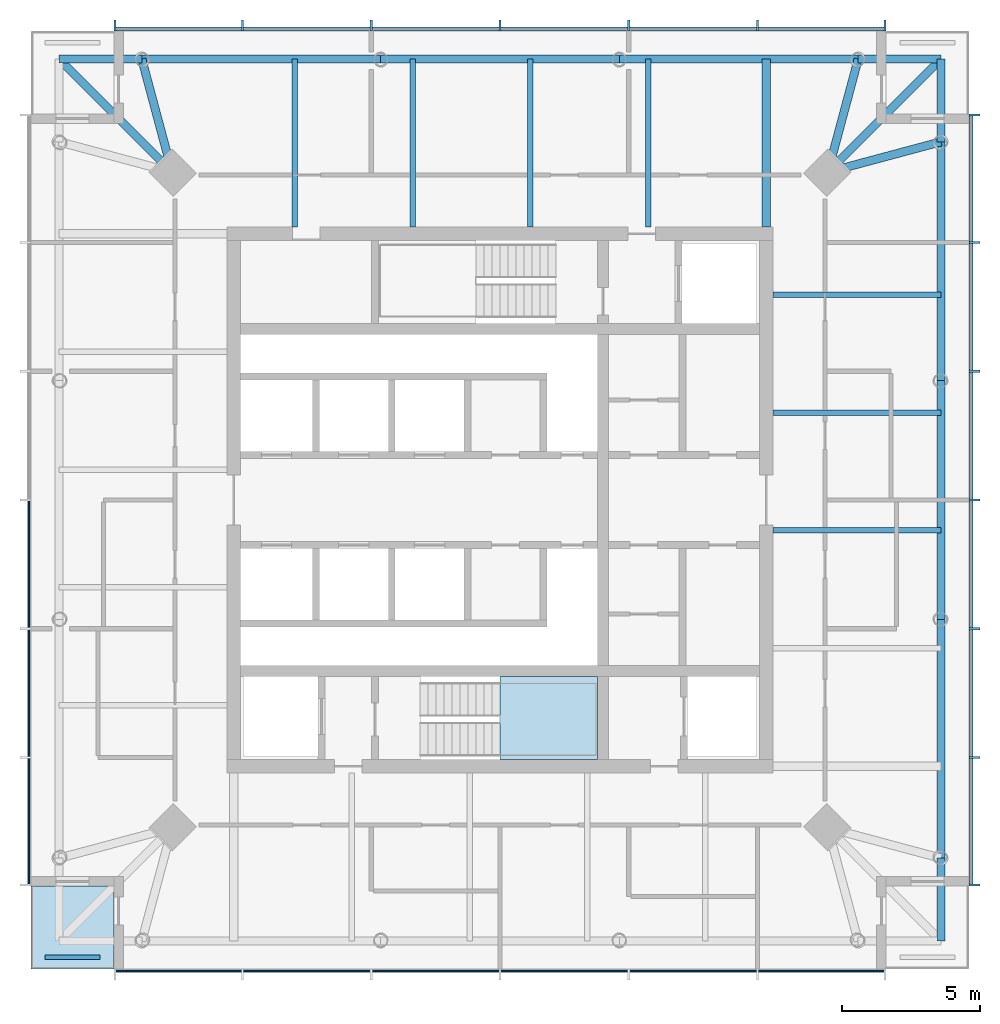
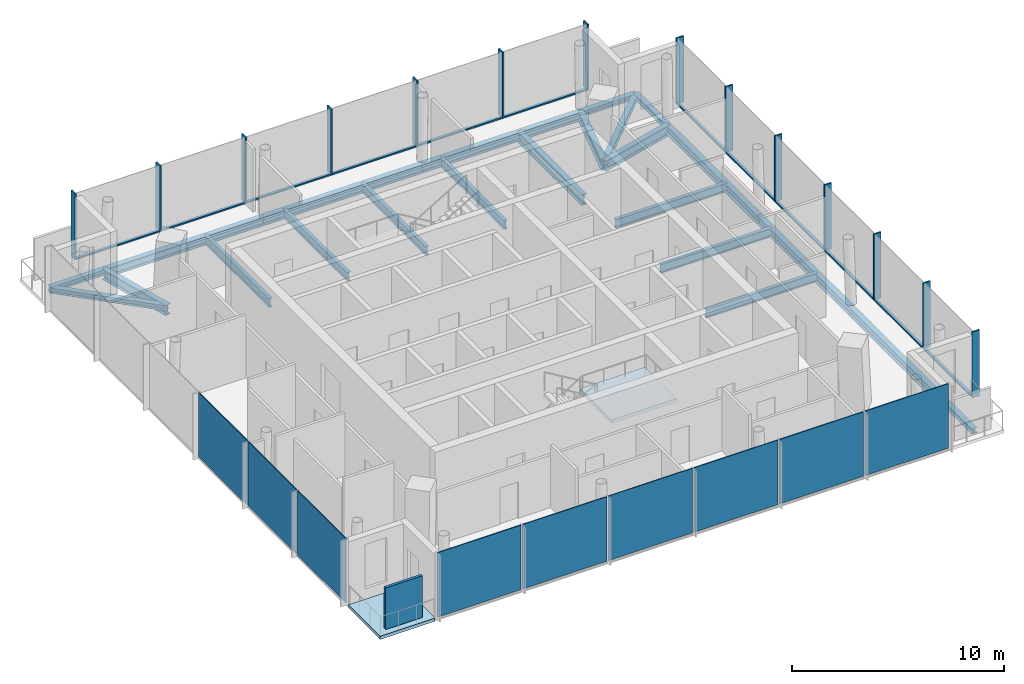
# One storey, part 2 of 7: 26 members, 23 beams, 10 plates, 2 slabs, 5 elements without a shape of their own.
"""IFC4 building model written with IfcOpenShell, lengths in metres."""

import ifcopenshell
import ifcopenshell.guid

model = None  # the IFC model being written
_history = None  # IfcOwnerHistory: only IFC2X3 demands one
_inside = {}  # id of a spatial element -> (the spatial element, [elements in it])
_under = {}  # id of a project, library or spatial element -> (it, [spatial elements below it])
_declared = {}  # id of a project -> (the project, [libraries it declares])
_typed = {}  # id of a type object -> (the type object, [elements of that type])
_made_of = {}  # id of a material, layer set ... -> (it, [elements and type objects made of it])


def new_model(schema):
    """Start an empty IFC model of exactly this schema.

    Asked for "IFC4X3", IfcOpenShell would pick the latest addendum, in which some entities
    have other attributes; the version numbers below select the first issue.
    IFC2X3 requires an IfcOwnerHistory on every rooted entity: one is made here for all.
    """
    global model, _history
    if schema == "IFC4X3":
        model = ifcopenshell.file(schema_version=(4, 3, 0, 0))
    else:
        model = ifcopenshell.file(schema=schema)
    _inside.clear()
    _under.clear()
    _declared.clear()
    _typed.clear()
    _made_of.clear()
    _history = None
    if model.schema == "IFC2X3":
        org = make("IfcOrganization", Name="unknown")
        user = make(
            "IfcPersonAndOrganization",
            ThePerson=make("IfcPerson", FamilyName="unknown"),
            TheOrganization=org,
        )
        app = make(
            "IfcApplication",
            ApplicationDeveloper=org,
            Version="unknown",
            ApplicationFullName="unknown",
            ApplicationIdentifier="unknown",
        )
        _history = make(
            "IfcOwnerHistory",
            OwningUser=user,
            OwningApplication=app,
            ChangeAction="ADDED",
            CreationDate=0,
        )
    return model


def make(cls, **values):
    """One entity of the class cls with the attributes given. An attribute that is None is left unset."""
    return model.create_entity(
        cls, **{name: value for name, value in values.items() if value is not None}
    )


def rooted(cls, **values):
    """An entity with a GlobalId (a new one), such as an element, a storey or a relation."""
    return make(cls, GlobalId=ifcopenshell.guid.new(), OwnerHistory=_history, **values)


def si_unit(unit_type, name, prefix=None):
    """IfcSIUnit, for example si_unit("LENGTHUNIT", "METRE", prefix="MILLI")."""
    return make("IfcSIUnit", UnitType=unit_type, Prefix=prefix, Name=name)


def assignment(units):
    """IfcUnitAssignment: the units of a project."""
    return None if units is None else make("IfcUnitAssignment", Units=units)


def point(xyz):
    """IfcCartesianPoint."""
    return None if xyz is None else make("IfcCartesianPoint", Coordinates=xyz)


def direction(xyz):
    """IfcDirection."""
    return None if xyz is None else make("IfcDirection", DirectionRatios=xyz)


def frame(location, z_axis=None, x_axis=None):
    """IfcAxis2Placement3D, a coordinate frame: its origin and axes. An axis left out is left unset."""
    return make(
        "IfcAxis2Placement3D",
        Location=point(location),
        Axis=direction(z_axis),
        RefDirection=direction(x_axis),
    )


def frame_2d(location, x_axis=None):
    """IfcAxis2Placement2D, a coordinate frame in the plane: its origin and x axis."""
    return make(
        "IfcAxis2Placement2D", Location=point(location), RefDirection=direction(x_axis)
    )


def origin():
    """The frame at (0, 0, 0) with its axes left unset."""
    return frame((0.0, 0.0, 0.0))


def origin_2d():
    """The frame at (0, 0) in the plane with its x axis left unset."""
    return frame_2d((0.0, 0.0))


def place(relative_to, where):
    """IfcLocalPlacement: puts the frame where relative to a parent placement (None: the world)."""
    return make(
        "IfcLocalPlacement", PlacementRelTo=relative_to, RelativePlacement=where
    )


def context(
    kind, dimensions, precision=None, world=None, true_north=None, identifier=None
):
    """IfcGeometricRepresentationContext, for example the 3D "Model" context."""
    return make(
        "IfcGeometricRepresentationContext",
        ContextIdentifier=identifier,
        ContextType=kind,
        CoordinateSpaceDimension=dimensions,
        Precision=precision,
        WorldCoordinateSystem=world,
        TrueNorth=true_north,
    )


def subcontext(parent, identifier, kind, view, scale=None):
    """IfcGeometricRepresentationSubContext, for example "Body" below "Model"."""
    return make(
        "IfcGeometricRepresentationSubContext",
        ContextIdentifier=identifier,
        ContextType=kind,
        ParentContext=parent,
        TargetScale=scale,
        TargetView=view,
    )


def project(units=None, contexts=None):
    """IfcProject with its units and contexts."""
    return rooted(
        "IfcProject",
        Name="project",
        RepresentationContexts=contexts,
        UnitsInContext=assignment(units),
    )


def spatial(cls, under=None, at=None, **own):
    """A site, building, storey or space (cls), placed at a placement, below another one or the project."""
    s = rooted(cls, ObjectPlacement=at, **own)
    if under is not None:
        _under.setdefault(under.id(), (under, []))[1].append(s)
    return s


def polyline(points):
    """IfcPolyline through the points."""
    return make("IfcPolyline", Points=[point(p) for p in points])


def profile(cls, at=None, kind="AREA", **sizes):
    """A parametric profile (cls). Its sizes go by their IFC names, for example OverallWidth=200.0."""
    return make(cls, ProfileType=kind, Position=at, **sizes)


def rectangle(**sizes):
    """IfcRectangleProfileDef."""
    return profile("IfcRectangleProfileDef", **sizes)


def i_section(**sizes):
    """IfcIShapeProfileDef."""
    return profile("IfcIShapeProfileDef", **sizes)


def outline(outer, holes=None, kind="AREA"):
    """IfcArbitraryClosedProfileDef: a profile drawn as a closed curve; with holes, ...WithVoids."""
    if holes is None:
        return make("IfcArbitraryClosedProfileDef", ProfileType=kind, OuterCurve=outer)
    return make(
        "IfcArbitraryProfileDefWithVoids",
        ProfileType=kind,
        OuterCurve=outer,
        InnerCurves=holes,
    )


def extrude(swept, where, along, depth):
    """IfcExtrudedAreaSolid: the profile swept, set in the frame where, extruded along a direction by depth."""
    return make(
        "IfcExtrudedAreaSolid",
        SweptArea=swept,
        Position=where,
        ExtrudedDirection=direction(along),
        Depth=depth,
    )


def shape(context_of_items, identifier, shape_type, items):
    """IfcShapeRepresentation: the items that make up one representation, for example the "Body"."""
    return make(
        "IfcShapeRepresentation",
        ContextOfItems=context_of_items,
        RepresentationIdentifier=identifier,
        RepresentationType=shape_type,
        Items=items,
    )


def material(Name=None, Category=None):
    """IfcMaterial."""
    return make("IfcMaterial", Name=Name, Category=Category)


def layer(
    of_material, thickness, ventilated=None, Name=None, Category=None, Priority=None
):
    """IfcMaterialLayer: one layer of a wall or slab, of a material (None: an air gap)."""
    return make(
        "IfcMaterialLayer",
        Material=of_material,
        LayerThickness=thickness,
        IsVentilated=ventilated,
        Name=Name,
        Category=Category,
        Priority=Priority,
    )


def layer_set(layers, Name=None):
    """IfcMaterialLayerSet."""
    return make("IfcMaterialLayerSet", MaterialLayers=layers, LayerSetName=Name)


def material_profile(
    of_material, cross_section, Name=None, Category=None, Priority=None
):
    """IfcMaterialProfile: a cross section and its material."""
    return make(
        "IfcMaterialProfile",
        Name=Name,
        Material=of_material,
        Profile=cross_section,
        Priority=Priority,
        Category=Category,
    )


def profile_set(profiles, Name=None, composite=None):
    """IfcMaterialProfileSet."""
    return make(
        "IfcMaterialProfileSet",
        Name=Name,
        MaterialProfiles=profiles,
        CompositeProfile=composite,
    )


def made_of(thing, what):
    """Note that an element or type object is made of a material, layer set ...; save() writes the relation."""
    if what is not None:
        _made_of.setdefault(what.id(), (what, []))[1].append(thing)
    return thing


def type_object(cls, material=None, **own):
    """A type object (cls), such as IfcWallType, which elements share."""
    return made_of(rooted(cls, **own), material)


def element(
    cls,
    number,
    at=None,
    inside=None,
    cuts=None,
    type_object=None,
    material=None,
    context=None,
    identifier="Body",
    shape_type=None,
    held_by="IfcProductDefinitionShape",
    body=None,
    shapes=None,
    **own,
):
    """One element of the class cls, such as IfcWall. Its Tag is "e" and its number.

    at: its placement. inside: the storey or other place that contains it. cuts: it is an
    opening in that element (IfcRelVoidsElement). A single representation is given by context,
    identifier, shape_type and body (its items); several are given by shapes. held_by: the class
    of the entity that holds the representations. save() writes the other relations.
    """
    e = rooted(cls, Tag="e%d" % number, ObjectPlacement=at, **own)
    if body is not None:
        shapes = [shape(context, identifier, shape_type, body)]
    if shapes is not None:
        e.Representation = make(held_by, Representations=shapes)
    if inside is not None:
        _inside.setdefault(inside.id(), (inside, []))[1].append(e)
    if cuts is not None:
        rooted(
            "IfcRelVoidsElement", RelatingBuildingElement=cuts, RelatedOpeningElement=e
        )
    if type_object is not None:
        _typed.setdefault(type_object.id(), (type_object, []))[1].append(e)
    return made_of(e, material)


def aggregate(whole, parts):
    """IfcRelAggregates: a whole, such as a stair, and the parts it consists of."""
    return rooted("IfcRelAggregates", RelatingObject=whole, RelatedObjects=parts)


def save(model, path):
    """Write the relations noted so far, then the file.

    IfcRelAggregates (storeys below a building ...), IfcRelContainedInSpatialStructure (elements
    in a storey), IfcRelDefinesByType, IfcRelAssociatesMaterial and IfcRelDeclares: one each for
    every whole, place, type object, material and project.
    """
    for whole, parts in _under.values():
        aggregate(whole, parts)
    for where, things in _inside.values():
        rooted(
            "IfcRelContainedInSpatialStructure",
            RelatedElements=things,
            RelatingStructure=where,
        )
    for kind, things in _typed.values():
        rooted("IfcRelDefinesByType", RelatedObjects=things, RelatingType=kind)
    for what, things in _made_of.values():
        rooted("IfcRelAssociatesMaterial", RelatedObjects=things, RelatingMaterial=what)
    for by, libraries in _declared.values():
        rooted("IfcRelDeclares", RelatingContext=by, RelatedDefinitions=libraries)
    model.write(path)


model = new_model("IFC4")

# Units and contexts
model_context = context("Model", 3, precision=1e-05, world=origin(), true_north=direction((0.0, 1.0)))
body_context = subcontext(model_context, "Body", "Model", "MODEL_VIEW")
ifc_project = project(units=[si_unit("LENGTHUNIT", "METRE"), si_unit("AREAUNIT", "SQUARE_METRE"), si_unit("VOLUMEUNIT", "CUBIC_METRE"), si_unit("PLANEANGLEUNIT", "RADIAN"), si_unit("MASSUNIT", "GRAM", prefix="KILO")], contexts=[model_context])

# Site, building, storey
site_placement = place(None, origin())
site = spatial("IfcSite", under=ifc_project, at=site_placement, CompositionType="ELEMENT")
building_placement = place(site_placement, origin())
building = spatial("IfcBuilding", under=site, at=building_placement, Name="Ostroluk Exchange", CompositionType="ELEMENT")
storey_placement = place(building_placement, frame((0.0, 0.0, 271.800048828125)))
storey = spatial("IfcBuildingStorey", under=building, at=storey_placement, Name="L70", CompositionType="ELEMENT", Elevation=271.800048828125)

# Beams
ifc_material_1 = material(Name="Steel S355", Category="steel")
ifc_material_profile_1 = material_profile(ifc_material_1, i_section(OverallWidth=0.300048828125, OverallDepth=0.300048828125, WebThickness=0.010986328125, FlangeThickness=0.01904296875, FilletRadius=0.027099609375, at=origin_2d()), Name="HEB 300")
ifc_profile_set_1 = profile_set([ifc_material_profile_1], Name="Steel S355")
beam_type_1 = type_object("IfcBeamType", Name="Balcony beam HEB 300", PredefinedType="BEAM", material=ifc_profile_set_1)
for number, where, z_axis, x_axis, name in (
    (1, (60.985595703125, 58.985595703125, -0.330078125), (0.0, 1.0, 0.0), (-1.0, 0.0, 0.0), "T1 east balcony beam a"),
    (2, (57.985595703125, 61.985595703125, -0.330078125), (1.0, 0.0, 0.0), (0.0, 1.0, 0.0), "T1 east balcony beam b"),
):
    element("IfcBeam", number, at=place(storey_placement, frame(where, z_axis=z_axis, x_axis=x_axis)), inside=storey, type_object=beam_type_1, Name=name, PredefinedType="BEAM", context=body_context, shape_type="SweptSolid", body=[
        extrude(i_section(OverallWidth=0.300048828125, OverallDepth=0.300048828125, WebThickness=0.010986328125, FlangeThickness=0.01904296875, FilletRadius=0.027099609375, at=origin_2d()), origin(), (0.0, 0.0, 1.0), 3.0),
    ])
beam_1_placement = place(storey_placement, frame((56.8857421875, 57.8857421875, -0.330078125), z_axis=(0.707106781187, 0.707106781187, 0.0), x_axis=(-0.707106781187, 0.707106781187, 0.0)))
element("IfcBeam", 3, at=beam_1_placement, inside=storey, type_object=beam_type_1, Name="T1 east balcony beam c", PredefinedType="BEAM", context=body_context, shape_type="SweptSolid", body=[
    extrude(i_section(OverallWidth=0.300048828125, OverallDepth=0.300048828125, WebThickness=0.010986328125, FlangeThickness=0.01904296875, FilletRadius=0.027099609375, at=origin_2d()), origin(), (0.0, 0.0, 1.0), 5.798095703125),
])
beam_2_placement = place(storey_placement, frame((32.014404296875, 61.985595703125, -0.330078125), z_axis=(-1.0, 0.0, 0.0), x_axis=(0.0, -1.0, 0.0)))
element("IfcBeam", 4, at=beam_2_placement, inside=storey, type_object=beam_type_1, Name="T1 north balcony beam a", PredefinedType="BEAM", context=body_context, shape_type="SweptSolid", body=[
    extrude(i_section(OverallWidth=0.300048828125, OverallDepth=0.300048828125, WebThickness=0.010986328125, FlangeThickness=0.01904296875, FilletRadius=0.027099609375, at=origin_2d()), origin(), (0.0, 0.0, 1.0), 3.0),
])
beam_3_placement = place(storey_placement, frame((33.1142578125, 57.8857421875, -0.330078125), z_axis=(-0.707106781187, 0.707106781187, 0.0), x_axis=(-0.707106781187, -0.707106781187, 0.0)))
element("IfcBeam", 5, at=beam_3_placement, inside=storey, type_object=beam_type_1, Name="T1 north balcony beam c", PredefinedType="BEAM", context=body_context, shape_type="SweptSolid", body=[
    extrude(i_section(OverallWidth=0.300048828125, OverallDepth=0.300048828125, WebThickness=0.010986328125, FlangeThickness=0.01904296875, FilletRadius=0.027099609375, at=origin_2d()), origin(), (0.0, 0.0, 1.0), 5.798095703125),
])
beam_4_placement = place(storey_placement, frame((60.985595703125, 33.014404296875, -0.330078125), z_axis=(0.0, -1.0, 0.0), x_axis=(1.0, 0.0, 0.0)))
element("IfcBeam", 6, at=beam_4_placement, inside=storey, type_object=beam_type_1, Name="T1 south balcony beam b", PredefinedType="BEAM", context=body_context, shape_type="SweptSolid", body=[
    extrude(i_section(OverallWidth=0.300048828125, OverallDepth=0.300048828125, WebThickness=0.010986328125, FlangeThickness=0.01904296875, FilletRadius=0.027099609375, at=origin_2d()), origin(), (0.0, 0.0, 1.0), 3.0),
])
ifc_material_2 = material(Name="Steel S355", Category="steel")
ifc_material_profile_2 = material_profile(ifc_material_2, i_section(OverallWidth=0.300048828125, OverallDepth=0.60009765625, WebThickness=0.015380859375, FlangeThickness=0.030029296875, FilletRadius=0.027099609375, at=origin_2d()), Name="HEB 600")
ifc_profile_set_2 = profile_set([ifc_material_profile_2], Name="Steel S355")
beam_type_2 = type_object("IfcBeamType", Name="Corner edge beam HEB 600", PredefinedType="SPANDREL", material=ifc_profile_set_2)
for number, where, z_axis, x_axis, name in (
    (7, (56.8857421875, 57.8857421875, -0.47998046875), (0.965849156574, 0.259105011038, 0.0), (-0.259105011038, 0.965849156574, 0.0), "T1 east corner edge beam a"),
    (8, (56.8857421875, 57.8857421875, -0.47998046875), (0.259105011038, 0.965849156574, 0.0), (-0.965849156574, 0.259105011038, 0.0), "T1 east corner edge beam b"),
    (9, (33.1142578125, 57.8857421875, -0.47998046875), (-0.259105011038, 0.965849156574, 0.0), (-0.965849156574, -0.259105011038, 0.0), "T1 north corner edge beam a"),
):
    element("IfcBeam", number, at=place(storey_placement, frame(where, z_axis=z_axis, x_axis=x_axis)), inside=storey, type_object=beam_type_2, Name=name, PredefinedType="SPANDREL", context=body_context, shape_type="SweptSolid", body=[
        extrude(i_section(OverallWidth=0.300048828125, OverallDepth=0.60009765625, WebThickness=0.015380859375, FlangeThickness=0.030029296875, FilletRadius=0.027099609375, at=origin_2d()), origin(), (0.0, 0.0, 1.0), 4.244873046875),
    ])
ifc_material_3 = material(Name="Steel S355", Category="steel")
ifc_material_profile_3 = material_profile(ifc_material_3, i_section(OverallWidth=0.199951171875, OverallDepth=0.5, WebThickness=0.01025390625, FlangeThickness=0.01611328125, FilletRadius=0.02099609375, at=origin_2d()), Name="IPE 500")
ifc_profile_set_3 = profile_set([ifc_material_profile_3], Name="Steel S355")
beam_type_3 = type_object("IfcBeamType", Name="Floor beam IPE 500", PredefinedType="BEAM", material=ifc_profile_set_3)
for number, where, z_axis, x_axis, name in (
    (10, (54.89990234375, 44.895263671875, -0.429931640625), (1.0, 0.0, 0.0), (0.0, 1.0, 0.0), "T1 east floor beam 2"),
    (11, (54.89990234375, 49.16796875, -0.429931640625), (1.0, 0.0, 0.0), (0.0, 1.0, 0.0), "T1 east floor beam 3"),
    (12, (54.89990234375, 53.4404296875, -0.429931640625), (1.0, 0.0, 0.0), (0.0, 1.0, 0.0), "T1 east floor beam 4"),
    (13, (50.37744140625, 55.89990234375, -0.429931640625), (0.0, 1.0, 0.0), (-1.0, 0.0, 0.0), "T1 north floor beam 1"),
    (14, (46.104736328125, 55.89990234375, -0.429931640625), (0.0, 1.0, 0.0), (-1.0, 0.0, 0.0), "T1 north floor beam 2"),
    (15, (41.83203125, 55.89990234375, -0.429931640625), (0.0, 1.0, 0.0), (-1.0, 0.0, 0.0), "T1 north floor beam 3"),
    (16, (37.5595703125, 55.89990234375, -0.429931640625), (0.0, 1.0, 0.0), (-1.0, 0.0, 0.0), "T1 north floor beam 4"),
):
    element("IfcBeam", number, at=place(storey_placement, frame(where, z_axis=z_axis, x_axis=x_axis)), inside=storey, type_object=beam_type_3, Name=name, PredefinedType="BEAM", context=body_context, shape_type="SweptSolid", body=[
        extrude(i_section(OverallWidth=0.199951171875, OverallDepth=0.5, WebThickness=0.01025390625, FlangeThickness=0.01611328125, FilletRadius=0.02099609375, at=origin_2d()), origin(), (0.0, 0.0, 1.0), 6.085693359375),
    ])
ifc_material_4 = material(Name="Steel S355", Category="steel")
ifc_material_profile_4 = material_profile(ifc_material_4, i_section(OverallWidth=0.300048828125, OverallDepth=0.60009765625, WebThickness=0.015380859375, FlangeThickness=0.030029296875, FilletRadius=0.027099609375, at=origin_2d()), Name="HEB 600")
ifc_profile_set_4 = profile_set([ifc_material_profile_4], Name="Steel S355")
beam_type_4 = type_object("IfcBeamType", Name="Girder HEB 600", PredefinedType="BEAM", material=ifc_profile_set_4)
beam_5_placement = place(storey_placement, frame((54.64990234375, 55.89990234375, -0.47998046875), z_axis=(0.0, 1.0, 0.0), x_axis=(-1.0, 0.0, 0.0)))
element("IfcBeam", 17, at=beam_5_placement, inside=storey, type_object=beam_type_4, Name="T1 east girder", PredefinedType="BEAM", context=body_context, shape_type="SweptSolid", body=[
    extrude(i_section(OverallWidth=0.300048828125, OverallDepth=0.60009765625, WebThickness=0.015380859375, FlangeThickness=0.030029296875, FilletRadius=0.027099609375, at=origin_2d()), origin(), (0.0, 0.0, 1.0), 6.085693359375),
])
ifc_material_5 = material(Name="Steel S355", Category="steel")
ifc_material_profile_5 = material_profile(ifc_material_5, i_section(OverallWidth=0.300048828125, OverallDepth=0.5, WebThickness=0.014404296875, FlangeThickness=0.028076171875, FilletRadius=0.027099609375, at=origin_2d()), Name="HEB 500")
ifc_profile_set_5 = profile_set([ifc_material_profile_5], Name="Steel S355")
beam_type_5 = type_object("IfcBeamType", Name="Moment-connected edge beam HEB 500", PredefinedType="SPANDREL", material=ifc_profile_set_5)
beam_6_placement = place(storey_placement, frame((60.985595703125, 33.014404296875, -0.429931640625), z_axis=(0.0, 1.0, 0.0), x_axis=(-1.0, 0.0, 0.0)))
element("IfcBeam", 18, at=beam_6_placement, inside=storey, type_object=beam_type_5, Name="T1 east edge beam 1", PredefinedType="SPANDREL", context=body_context, shape_type="SweptSolid", body=[
    extrude(i_section(OverallWidth=0.300048828125, OverallDepth=0.5, WebThickness=0.014404296875, FlangeThickness=0.028076171875, FilletRadius=0.027099609375, at=origin_2d()), origin(), (0.0, 0.0, 1.0), 8.656982421875),
])
beam_7_placement = place(storey_placement, frame((60.985595703125, 41.67138671875, -0.429931640625), z_axis=(0.0, 1.0, 0.0), x_axis=(-1.0, 0.0, 0.0)))
element("IfcBeam", 19, at=beam_7_placement, inside=storey, type_object=beam_type_5, Name="T1 east edge beam 2", PredefinedType="SPANDREL", context=body_context, shape_type="SweptSolid", body=[
    extrude(i_section(OverallWidth=0.300048828125, OverallDepth=0.5, WebThickness=0.014404296875, FlangeThickness=0.028076171875, FilletRadius=0.027099609375, at=origin_2d()), origin(), (0.0, 0.0, 1.0), 8.6572265625),
])
for number, where, z_axis, x_axis, name in (
    (20, (60.985595703125, 50.32861328125, -0.429931640625), (0.0, 1.0, 0.0), (-1.0, 0.0, 0.0), "T1 east edge beam 3"),
    (21, (57.985595703125, 61.985595703125, -0.429931640625), (-1.0, 0.0, 0.0), (0.0, -1.0, 0.0), "T1 north edge beam 1"),
):
    element("IfcBeam", number, at=place(storey_placement, frame(where, z_axis=z_axis, x_axis=x_axis)), inside=storey, type_object=beam_type_5, Name=name, PredefinedType="SPANDREL", context=body_context, shape_type="SweptSolid", body=[
        extrude(i_section(OverallWidth=0.300048828125, OverallDepth=0.5, WebThickness=0.014404296875, FlangeThickness=0.028076171875, FilletRadius=0.027099609375, at=origin_2d()), origin(), (0.0, 0.0, 1.0), 8.656982421875),
    ])
beam_8_placement = place(storey_placement, frame((49.32861328125, 61.985595703125, -0.429931640625), z_axis=(-1.0, 0.0, 0.0), x_axis=(0.0, -1.0, 0.0)))
element("IfcBeam", 22, at=beam_8_placement, inside=storey, type_object=beam_type_5, Name="T1 north edge beam 2", PredefinedType="SPANDREL", context=body_context, shape_type="SweptSolid", body=[
    extrude(i_section(OverallWidth=0.300048828125, OverallDepth=0.5, WebThickness=0.014404296875, FlangeThickness=0.028076171875, FilletRadius=0.027099609375, at=origin_2d()), origin(), (0.0, 0.0, 1.0), 8.6572265625),
])
beam_9_placement = place(storey_placement, frame((40.67138671875, 61.985595703125, -0.429931640625), z_axis=(-1.0, 0.0, 0.0), x_axis=(0.0, -1.0, 0.0)))
element("IfcBeam", 23, at=beam_9_placement, inside=storey, type_object=beam_type_5, Name="T1 north edge beam 3", PredefinedType="SPANDREL", context=body_context, shape_type="SweptSolid", body=[
    extrude(i_section(OverallWidth=0.300048828125, OverallDepth=0.5, WebThickness=0.014404296875, FlangeThickness=0.028076171875, FilletRadius=0.027099609375, at=origin_2d()), origin(), (0.0, 0.0, 1.0), 8.656982421875),
])

# Curtain wall, members
ifc_material_6 = material(Name="Laminated clear glass", Category="glass")
curtain_wall_type = type_object("IfcCurtainWallType", Name="Office tower facade", PredefinedType="USERDEFINED", material=ifc_material_6)
curtain_wall_1_placement = place(storey_placement, origin())
curtain_wall_1 = element("IfcCurtainWall", 24, at=curtain_wall_1_placement, inside=storey, type_object=curtain_wall_type, Name="Office tower east facade L70", ObjectType="UNITISED CURTAIN WALL", PredefinedType="USERDEFINED")
ifc_material_7 = material(Name="Aluminium mullion", Category="aluminium")
ifc_material_profile_6 = material_profile(ifc_material_7, rectangle(XDim=0.14990234375, YDim=0.080078125, at=origin_2d()), Name="Sill transom 80 x 150")
ifc_profile_set_6 = profile_set([ifc_material_profile_6], Name="Aluminium mullion")
member_type_1 = type_object("IfcMemberType", Name="Sill transom 80 x 150", PredefinedType="USERDEFINED", material=ifc_profile_set_6)
member_1_placement = place(storey_placement, frame((62.074951171875, 32.080078125, 0.0400390625), z_axis=(0.0, 1.0, 0.0), x_axis=(-1.0, 0.0, 0.0)))
member_1 = element("IfcMember", 25, at=member_1_placement, type_object=member_type_1, Name="CW-O1 transom 1.1", ObjectType="TRANSOM", PredefinedType="USERDEFINED", context=body_context, shape_type="SweptSolid", body=[
    extrude(rectangle(XDim=0.14990234375, YDim=0.080078125, at=origin_2d()), origin(), (0.0, 0.0, 1.0), 4.546630859375),
])
member_2_placement = place(storey_placement, frame((62.074951171875, 36.706787109375, 0.0400390625), z_axis=(0.0, 1.0, 0.0), x_axis=(-1.0, 0.0, 0.0)))
member_2 = element("IfcMember", 26, at=member_2_placement, type_object=member_type_1, Name="CW-O1 transom 2.1", ObjectType="TRANSOM", PredefinedType="USERDEFINED", context=body_context, shape_type="SweptSolid", body=[
    extrude(rectangle(XDim=0.14990234375, YDim=0.080078125, at=origin_2d()), origin(), (0.0, 0.0, 1.0), 4.58642578125),
])
member_3_placement = place(storey_placement, frame((62.074951171875, 41.373291015625, 0.0400390625), z_axis=(0.0, 1.0, 0.0), x_axis=(-1.0, 0.0, 0.0)))
member_3 = element("IfcMember", 27, at=member_3_placement, type_object=member_type_1, Name="CW-O1 transom 3.1", ObjectType="TRANSOM", PredefinedType="USERDEFINED", context=body_context, shape_type="SweptSolid", body=[
    extrude(rectangle(XDim=0.14990234375, YDim=0.080078125, at=origin_2d()), origin(), (0.0, 0.0, 1.0), 4.586669921875),
])
member_4_placement = place(storey_placement, frame((62.074951171875, 46.0400390625, 0.0400390625), z_axis=(0.0, 1.0, 0.0), x_axis=(-1.0, 0.0, 0.0)))
member_4 = element("IfcMember", 28, at=member_4_placement, type_object=member_type_1, Name="CW-O1 transom 4.1", ObjectType="TRANSOM", PredefinedType="USERDEFINED", context=body_context, shape_type="SweptSolid", body=[
    extrude(rectangle(XDim=0.14990234375, YDim=0.080078125, at=origin_2d()), origin(), (0.0, 0.0, 1.0), 4.586669921875),
])
member_5_placement = place(storey_placement, frame((62.074951171875, 50.706787109375, 0.0400390625), z_axis=(0.0, 1.0, 0.0), x_axis=(-1.0, 0.0, 0.0)))
member_5 = element("IfcMember", 29, at=member_5_placement, type_object=member_type_1, Name="CW-O1 transom 5.1", ObjectType="TRANSOM", PredefinedType="USERDEFINED", context=body_context, shape_type="SweptSolid", body=[
    extrude(rectangle(XDim=0.14990234375, YDim=0.080078125, at=origin_2d()), origin(), (0.0, 0.0, 1.0), 4.58642578125),
])
member_6_placement = place(storey_placement, frame((62.074951171875, 55.373291015625, 0.0400390625), z_axis=(0.0, 1.0, 0.0), x_axis=(-1.0, 0.0, 0.0)))
member_6 = element("IfcMember", 30, at=member_6_placement, type_object=member_type_1, Name="CW-O1 transom 6.1", ObjectType="TRANSOM", PredefinedType="USERDEFINED", context=body_context, shape_type="SweptSolid", body=[
    extrude(rectangle(XDim=0.14990234375, YDim=0.080078125, at=origin_2d()), origin(), (0.0, 0.0, 1.0), 4.546630859375),
])

curtain_wall_2_placement = place(storey_placement, origin())
curtain_wall_2 = element("IfcCurtainWall", 31, at=curtain_wall_2_placement, inside=storey, type_object=curtain_wall_type, Name="Office tower north facade L70", ObjectType="UNITISED CURTAIN WALL", PredefinedType="USERDEFINED")
member_7_placement = place(storey_placement, frame((58.919921875, 63.074951171875, 0.0400390625), z_axis=(-1.0, 0.0, 0.0), x_axis=(0.0, -1.0, 0.0)))
member_7 = element("IfcMember", 32, at=member_7_placement, type_object=member_type_1, Name="CW-O1 transom 1.1", ObjectType="TRANSOM", PredefinedType="USERDEFINED", context=body_context, shape_type="SweptSolid", body=[
    extrude(rectangle(XDim=0.14990234375, YDim=0.080078125, at=origin_2d()), origin(), (0.0, 0.0, 1.0), 4.546630859375),
])
member_8_placement = place(storey_placement, frame((54.293212890625, 63.074951171875, 0.0400390625), z_axis=(-1.0, 0.0, 0.0), x_axis=(0.0, -1.0, 0.0)))
member_8 = element("IfcMember", 33, at=member_8_placement, type_object=member_type_1, Name="CW-O1 transom 2.1", ObjectType="TRANSOM", PredefinedType="USERDEFINED", context=body_context, shape_type="SweptSolid", body=[
    extrude(rectangle(XDim=0.14990234375, YDim=0.080078125, at=origin_2d()), origin(), (0.0, 0.0, 1.0), 4.58642578125),
])
member_9_placement = place(storey_placement, frame((49.626708984375, 63.074951171875, 0.0400390625), z_axis=(-1.0, 0.0, 0.0), x_axis=(0.0, -1.0, 0.0)))
member_9 = element("IfcMember", 34, at=member_9_placement, type_object=member_type_1, Name="CW-O1 transom 3.1", ObjectType="TRANSOM", PredefinedType="USERDEFINED", context=body_context, shape_type="SweptSolid", body=[
    extrude(rectangle(XDim=0.14990234375, YDim=0.080078125, at=origin_2d()), origin(), (0.0, 0.0, 1.0), 4.586669921875),
])
member_10_placement = place(storey_placement, frame((44.9599609375, 63.074951171875, 0.0400390625), z_axis=(-1.0, 0.0, 0.0), x_axis=(0.0, -1.0, 0.0)))
member_10 = element("IfcMember", 35, at=member_10_placement, type_object=member_type_1, Name="CW-O1 transom 4.1", ObjectType="TRANSOM", PredefinedType="USERDEFINED", context=body_context, shape_type="SweptSolid", body=[
    extrude(rectangle(XDim=0.14990234375, YDim=0.080078125, at=origin_2d()), origin(), (0.0, 0.0, 1.0), 4.586669921875),
])
member_11_placement = place(storey_placement, frame((40.293212890625, 63.074951171875, 0.0400390625), z_axis=(-1.0, 0.0, 0.0), x_axis=(0.0, -1.0, 0.0)))
member_11 = element("IfcMember", 36, at=member_11_placement, type_object=member_type_1, Name="CW-O1 transom 5.1", ObjectType="TRANSOM", PredefinedType="USERDEFINED", context=body_context, shape_type="SweptSolid", body=[
    extrude(rectangle(XDim=0.14990234375, YDim=0.080078125, at=origin_2d()), origin(), (0.0, 0.0, 1.0), 4.58642578125),
])
member_12_placement = place(storey_placement, frame((35.626708984375, 63.074951171875, 0.0400390625), z_axis=(-1.0, 0.0, 0.0), x_axis=(0.0, -1.0, 0.0)))
member_12 = element("IfcMember", 37, at=member_12_placement, type_object=member_type_1, Name="CW-O1 transom 6.1", ObjectType="TRANSOM", PredefinedType="USERDEFINED", context=body_context, shape_type="SweptSolid", body=[
    extrude(rectangle(XDim=0.14990234375, YDim=0.080078125, at=origin_2d()), origin(), (0.0, 0.0, 1.0), 4.546630859375),
])

# Member
ifc_material_8 = material(Name="Aluminium mullion with limestone facing", Category="masonry")
ifc_material_profile_7 = material_profile(ifc_material_8, rectangle(XDim=0.39990234375, YDim=0.080078125, at=origin_2d()), Name="Tracery mullion 80 x 400")
ifc_profile_set_7 = profile_set([ifc_material_profile_7], Name="Aluminium mullion with limestone facing")
member_type_2 = type_object("IfcMemberType", Name="Tracery mullion 80 x 400", PredefinedType="MULLION", material=ifc_profile_set_7)
member_13_placement = place(storey_placement, frame((62.199951171875, 32.0400390625, 0.0), z_axis=(0.0, 0.0, 1.0), x_axis=(-1.0, 0.0, 0.0)))
member_13 = element("IfcMember", 38, at=member_13_placement, type_object=member_type_2, Name="CW-O1 mullion 1", PredefinedType="MULLION", context=body_context, shape_type="SweptSolid", body=[
    extrude(rectangle(XDim=0.39990234375, YDim=0.080078125, at=origin_2d()), origin(), (0.0, 0.0, 1.0), 3.800048828125),
])

member_14_placement = place(storey_placement, frame((62.199951171875, 36.666748046875, 0.0), z_axis=(0.0, 0.0, 1.0), x_axis=(-1.0, 0.0, 0.0)))
member_14 = element("IfcMember", 39, at=member_14_placement, type_object=member_type_2, Name="CW-O1 mullion 2", PredefinedType="MULLION", context=body_context, shape_type="SweptSolid", body=[
    extrude(rectangle(XDim=0.39990234375, YDim=0.080078125, at=origin_2d()), origin(), (0.0, 0.0, 1.0), 3.800048828125),
])

member_15_placement = place(storey_placement, frame((62.199951171875, 41.333251953125, 0.0), z_axis=(0.0, 0.0, 1.0), x_axis=(-1.0, 0.0, 0.0)))
member_15 = element("IfcMember", 40, at=member_15_placement, type_object=member_type_2, Name="CW-O1 mullion 3", PredefinedType="MULLION", context=body_context, shape_type="SweptSolid", body=[
    extrude(rectangle(XDim=0.39990234375, YDim=0.080078125, at=origin_2d()), origin(), (0.0, 0.0, 1.0), 3.800048828125),
])

member_16_placement = place(storey_placement, frame((62.199951171875, 46.0, 0.0), z_axis=(0.0, 0.0, 1.0), x_axis=(-1.0, 0.0, 0.0)))
member_16 = element("IfcMember", 41, at=member_16_placement, type_object=member_type_2, Name="CW-O1 mullion 4", PredefinedType="MULLION", context=body_context, shape_type="SweptSolid", body=[
    extrude(rectangle(XDim=0.39990234375, YDim=0.080078125, at=origin_2d()), origin(), (0.0, 0.0, 1.0), 3.800048828125),
])

member_17_placement = place(storey_placement, frame((62.199951171875, 50.666748046875, 0.0), z_axis=(0.0, 0.0, 1.0), x_axis=(-1.0, 0.0, 0.0)))
member_17 = element("IfcMember", 42, at=member_17_placement, type_object=member_type_2, Name="CW-O1 mullion 5", PredefinedType="MULLION", context=body_context, shape_type="SweptSolid", body=[
    extrude(rectangle(XDim=0.39990234375, YDim=0.080078125, at=origin_2d()), origin(), (0.0, 0.0, 1.0), 3.800048828125),
])

member_18_placement = place(storey_placement, frame((62.199951171875, 55.333251953125, 0.0), z_axis=(0.0, 0.0, 1.0), x_axis=(-1.0, 0.0, 0.0)))
member_18 = element("IfcMember", 43, at=member_18_placement, type_object=member_type_2, Name="CW-O1 mullion 6", PredefinedType="MULLION", context=body_context, shape_type="SweptSolid", body=[
    extrude(rectangle(XDim=0.39990234375, YDim=0.080078125, at=origin_2d()), origin(), (0.0, 0.0, 1.0), 3.800048828125),
])

member_19_placement = place(storey_placement, frame((62.199951171875, 59.9599609375, 0.0), z_axis=(0.0, 0.0, 1.0), x_axis=(-1.0, 0.0, 0.0)))
member_19 = element("IfcMember", 44, at=member_19_placement, type_object=member_type_2, Name="CW-O1 mullion 7", PredefinedType="MULLION", context=body_context, shape_type="SweptSolid", body=[
    extrude(rectangle(XDim=0.39990234375, YDim=0.080078125, at=origin_2d()), origin(), (0.0, 0.0, 1.0), 3.800048828125),
])

aggregate(curtain_wall_1, [member_13, member_14, member_15, member_16, member_17, member_18, member_19, member_1, member_2, member_3, member_4, member_5, member_6])

member_20_placement = place(storey_placement, frame((58.9599609375, 63.199951171875, 0.0), z_axis=(0.0, 0.0, 1.0), x_axis=(0.0, -1.0, 0.0)))
member_20 = element("IfcMember", 45, at=member_20_placement, type_object=member_type_2, Name="CW-O1 mullion 1", PredefinedType="MULLION", context=body_context, shape_type="SweptSolid", body=[
    extrude(rectangle(XDim=0.39990234375, YDim=0.080078125, at=origin_2d()), origin(), (0.0, 0.0, 1.0), 3.800048828125),
])

member_21_placement = place(storey_placement, frame((54.333251953125, 63.199951171875, 0.0), z_axis=(0.0, 0.0, 1.0), x_axis=(0.0, -1.0, 0.0)))
member_21 = element("IfcMember", 46, at=member_21_placement, type_object=member_type_2, Name="CW-O1 mullion 2", PredefinedType="MULLION", context=body_context, shape_type="SweptSolid", body=[
    extrude(rectangle(XDim=0.39990234375, YDim=0.080078125, at=origin_2d()), origin(), (0.0, 0.0, 1.0), 3.800048828125),
])

member_22_placement = place(storey_placement, frame((49.666748046875, 63.199951171875, 0.0), z_axis=(0.0, 0.0, 1.0), x_axis=(0.0, -1.0, 0.0)))
member_22 = element("IfcMember", 47, at=member_22_placement, type_object=member_type_2, Name="CW-O1 mullion 3", PredefinedType="MULLION", context=body_context, shape_type="SweptSolid", body=[
    extrude(rectangle(XDim=0.39990234375, YDim=0.080078125, at=origin_2d()), origin(), (0.0, 0.0, 1.0), 3.800048828125),
])

member_23_placement = place(storey_placement, frame((45.0, 63.199951171875, 0.0), z_axis=(0.0, 0.0, 1.0), x_axis=(0.0, -1.0, 0.0)))
member_23 = element("IfcMember", 48, at=member_23_placement, type_object=member_type_2, Name="CW-O1 mullion 4", PredefinedType="MULLION", context=body_context, shape_type="SweptSolid", body=[
    extrude(rectangle(XDim=0.39990234375, YDim=0.080078125, at=origin_2d()), origin(), (0.0, 0.0, 1.0), 3.800048828125),
])

member_24_placement = place(storey_placement, frame((40.333251953125, 63.199951171875, 0.0), z_axis=(0.0, 0.0, 1.0), x_axis=(0.0, -1.0, 0.0)))
member_24 = element("IfcMember", 49, at=member_24_placement, type_object=member_type_2, Name="CW-O1 mullion 5", PredefinedType="MULLION", context=body_context, shape_type="SweptSolid", body=[
    extrude(rectangle(XDim=0.39990234375, YDim=0.080078125, at=origin_2d()), origin(), (0.0, 0.0, 1.0), 3.800048828125),
])

member_25_placement = place(storey_placement, frame((35.666748046875, 63.199951171875, 0.0), z_axis=(0.0, 0.0, 1.0), x_axis=(0.0, -1.0, 0.0)))
member_25 = element("IfcMember", 50, at=member_25_placement, type_object=member_type_2, Name="CW-O1 mullion 6", PredefinedType="MULLION", context=body_context, shape_type="SweptSolid", body=[
    extrude(rectangle(XDim=0.39990234375, YDim=0.080078125, at=origin_2d()), origin(), (0.0, 0.0, 1.0), 3.800048828125),
])

member_26_placement = place(storey_placement, frame((31.0400390625, 63.199951171875, 0.0), z_axis=(0.0, 0.0, 1.0), x_axis=(0.0, -1.0, 0.0)))
member_26 = element("IfcMember", 51, at=member_26_placement, type_object=member_type_2, Name="CW-O1 mullion 7", PredefinedType="MULLION", context=body_context, shape_type="SweptSolid", body=[
    extrude(rectangle(XDim=0.39990234375, YDim=0.080078125, at=origin_2d()), origin(), (0.0, 0.0, 1.0), 3.800048828125),
])

aggregate(curtain_wall_2, [member_20, member_21, member_22, member_23, member_24, member_25, member_26, member_7, member_8, member_9, member_10, member_11, member_12])

# Slab
ifc_material_9 = material(Name="Concrete C35/45", Category="concrete")
ifc_layer_1 = layer(ifc_material_9, 0.179931640625)
ifc_layer_set_1 = layer_set([ifc_layer_1], Name="Balcony slab 180")
slab_type_1 = type_object("IfcSlabType", Name="Balcony slab 180", PredefinedType="USERDEFINED", material=ifc_layer_set_1)
slab_1_placement = place(storey_placement, frame((0.0, 0.0, -0.179931640625)))
element("IfcSlab", 52, at=slab_1_placement, inside=storey, type_object=slab_type_1, Name="Office tower SW corner balcony L70", ObjectType="BALCONY", PredefinedType="USERDEFINED", context=body_context, shape_type="SweptSolid", body=[
    extrude(outline(polyline([(28.0, 29.0), (31.0, 29.0), (31.0, 32.0), (28.0, 32.0), (28.0, 29.0)])), origin(), (0.0, 0.0, 1.0), 0.179931640625),
])

# Plate
ifc_material_10 = material(Name="Steel S355 trellis with planting", Category="steel")
ifc_layer_2 = layer(ifc_material_10, 0.14990234375)
ifc_layer_set_2 = layer_set([ifc_layer_2], Name="Planted screen 150")
plate_type_1 = type_object("IfcPlateType", Name="Planted screen 150", PredefinedType="USERDEFINED", material=ifc_layer_set_2)
plate_1_placement = place(storey_placement, frame((29.5, 29.425048828125, 0.0), z_axis=(0.0, 0.0, 1.0), x_axis=(1.0, 0.0, 0.0)))
element("IfcPlate", 53, at=plate_1_placement, inside=storey, type_object=plate_type_1, Name="Office tower SW planted screen L70", ObjectType="PLANTED SCREEN", PredefinedType="USERDEFINED", context=body_context, shape_type="SweptSolid", body=[
    extrude(rectangle(XDim=2.0, YDim=0.14990234375, at=origin_2d()), origin(), (0.0, 0.0, 1.0), 2.39990234375),
])

# Stair, slab
ifc_material_11 = material(Name="Concrete C30/37", Category="concrete")
stair_type = type_object("IfcStairType", Name="Exit stair half turn 3800", PredefinedType="HALF_TURN_STAIR", material=ifc_material_11)
stair_placement = place(storey_placement, origin())
stair = element("IfcStair", 54, at=stair_placement, inside=storey, type_object=stair_type, Name="Stair T1-S1 L70", PredefinedType="HALF_TURN_STAIR")
ifc_material_12 = material(Name="Concrete C30/37", Category="concrete")
ifc_layer_3 = layer(ifc_material_12, 0.199951171875)
ifc_layer_set_3 = layer_set([ifc_layer_3], Name="Stair landing 200")
slab_type_2 = type_object("IfcSlabType", Name="Stair landing 200", PredefinedType="LANDING", material=ifc_layer_set_3)
slab_2_placement = place(storey_placement, frame((0.0, 0.0, 1.699951171875)))
slab_2 = element("IfcSlab", 55, at=slab_2_placement, type_object=slab_type_2, Name="T1-S1 landing 1", PredefinedType="LANDING", context=body_context, shape_type="SweptSolid", body=[
    extrude(outline(polyline([(45.0, 36.60009765625), (45.0, 39.60009765625), (48.530029296875, 39.60009765625), (48.530029296875, 36.60009765625), (45.0, 36.60009765625)])), origin(), (0.0, 0.0, 1.0), 0.199951171875),
])
aggregate(stair, [slab_2])

# Curtain wall, plates
curtain_wall_3_placement = place(storey_placement, origin())
curtain_wall_3 = element("IfcCurtainWall", 56, at=curtain_wall_3_placement, inside=storey, type_object=curtain_wall_type, Name="Office tower south facade L70", ObjectType="UNITISED CURTAIN WALL", PredefinedType="USERDEFINED")
ifc_material_13 = material(Name="Laminated clear glass", Category="glass")
ifc_layer_4 = layer(ifc_material_13, 0.0439453125)
ifc_layer_set_4 = layer_set([ifc_layer_4], Name="Triple laminated clear glazing 44")
plate_type_2 = type_object("IfcPlateType", Name="Triple laminated clear glazing 44", PredefinedType="CURTAIN_PANEL", material=ifc_layer_set_4)
plate_2_placement = place(storey_placement, frame((33.353271484375, 28.925048828125, 0.080078125), z_axis=(0.0, 0.0, 1.0), x_axis=(1.0, 0.0, 0.0)))
plate_2 = element("IfcPlate", 57, at=plate_2_placement, type_object=plate_type_2, Name="CW-O1 panel 1.1", PredefinedType="CURTAIN_PANEL", context=body_context, shape_type="SweptSolid", body=[
    extrude(rectangle(XDim=4.546630859375, YDim=0.0439453125, at=origin_2d()), origin(), (0.0, 0.0, 1.0), 3.719970703125),
])
plate_3_placement = place(storey_placement, frame((38.0, 28.925048828125, 0.080078125), z_axis=(0.0, 0.0, 1.0), x_axis=(1.0, 0.0, 0.0)))
plate_3 = element("IfcPlate", 58, at=plate_3_placement, type_object=plate_type_2, Name="CW-O1 panel 2.1", PredefinedType="CURTAIN_PANEL", context=body_context, shape_type="SweptSolid", body=[
    extrude(rectangle(XDim=4.586669921875, YDim=0.0439453125, at=origin_2d()), origin(), (0.0, 0.0, 1.0), 3.719970703125),
])
plate_4_placement = place(storey_placement, frame((42.666748046875, 28.925048828125, 0.080078125), z_axis=(0.0, 0.0, 1.0), x_axis=(1.0, 0.0, 0.0)))
plate_4 = element("IfcPlate", 59, at=plate_4_placement, type_object=plate_type_2, Name="CW-O1 panel 3.1", PredefinedType="CURTAIN_PANEL", context=body_context, shape_type="SweptSolid", body=[
    extrude(rectangle(XDim=4.586669921875, YDim=0.0439453125, at=origin_2d()), origin(), (0.0, 0.0, 1.0), 3.719970703125),
])
plate_5_placement = place(storey_placement, frame((47.333251953125, 28.925048828125, 0.080078125), z_axis=(0.0, 0.0, 1.0), x_axis=(1.0, 0.0, 0.0)))
plate_5 = element("IfcPlate", 60, at=plate_5_placement, type_object=plate_type_2, Name="CW-O1 panel 4.1", PredefinedType="CURTAIN_PANEL", context=body_context, shape_type="SweptSolid", body=[
    extrude(rectangle(XDim=4.586669921875, YDim=0.0439453125, at=origin_2d()), origin(), (0.0, 0.0, 1.0), 3.719970703125),
])
plate_6_placement = place(storey_placement, frame((52.0, 28.925048828125, 0.080078125), z_axis=(0.0, 0.0, 1.0), x_axis=(1.0, 0.0, 0.0)))
plate_6 = element("IfcPlate", 61, at=plate_6_placement, type_object=plate_type_2, Name="CW-O1 panel 5.1", PredefinedType="CURTAIN_PANEL", context=body_context, shape_type="SweptSolid", body=[
    extrude(rectangle(XDim=4.586669921875, YDim=0.0439453125, at=origin_2d()), origin(), (0.0, 0.0, 1.0), 3.719970703125),
])
plate_7_placement = place(storey_placement, frame((56.646728515625, 28.925048828125, 0.080078125), z_axis=(0.0, 0.0, 1.0), x_axis=(1.0, 0.0, 0.0)))
plate_7 = element("IfcPlate", 62, at=plate_7_placement, type_object=plate_type_2, Name="CW-O1 panel 6.1", PredefinedType="CURTAIN_PANEL", context=body_context, shape_type="SweptSolid", body=[
    extrude(rectangle(XDim=4.546630859375, YDim=0.0439453125, at=origin_2d()), origin(), (0.0, 0.0, 1.0), 3.719970703125),
])
aggregate(curtain_wall_3, [plate_2, plate_3, plate_4, plate_5, plate_6, plate_7])

curtain_wall_4_placement = place(storey_placement, origin())
curtain_wall_4 = element("IfcCurtainWall", 63, at=curtain_wall_4_placement, inside=storey, type_object=curtain_wall_type, Name="Office tower west facade L70", ObjectType="UNITISED CURTAIN WALL", PredefinedType="USERDEFINED")
plate_8_placement = place(storey_placement, frame((27.925048828125, 43.666748046875, 0.080078125), z_axis=(0.0, 0.0, 1.0), x_axis=(0.0, -1.0, 0.0)))
plate_8 = element("IfcPlate", 64, at=plate_8_placement, type_object=plate_type_2, Name="CW-O1 panel 4.1", PredefinedType="CURTAIN_PANEL", context=body_context, shape_type="SweptSolid", body=[
    extrude(rectangle(XDim=4.586669921875, YDim=0.0439453125, at=origin_2d()), origin(), (0.0, 0.0, 1.0), 3.719970703125),
])
plate_9_placement = place(storey_placement, frame((27.925048828125, 39.0, 0.080078125), z_axis=(0.0, 0.0, 1.0), x_axis=(0.0, -1.0, 0.0)))
plate_9 = element("IfcPlate", 65, at=plate_9_placement, type_object=plate_type_2, Name="CW-O1 panel 5.1", PredefinedType="CURTAIN_PANEL", context=body_context, shape_type="SweptSolid", body=[
    extrude(rectangle(XDim=4.586669921875, YDim=0.0439453125, at=origin_2d()), origin(), (0.0, 0.0, 1.0), 3.719970703125),
])
plate_10_placement = place(storey_placement, frame((27.925048828125, 34.353271484375, 0.080078125), z_axis=(0.0, 0.0, 1.0), x_axis=(0.0, -1.0, 0.0)))
plate_10 = element("IfcPlate", 66, at=plate_10_placement, type_object=plate_type_2, Name="CW-O1 panel 6.1", PredefinedType="CURTAIN_PANEL", context=body_context, shape_type="SweptSolid", body=[
    extrude(rectangle(XDim=4.546630859375, YDim=0.0439453125, at=origin_2d()), origin(), (0.0, 0.0, 1.0), 3.719970703125),
])
aggregate(curtain_wall_4, [plate_8, plate_9, plate_10])

save(model, "model.ifc")
